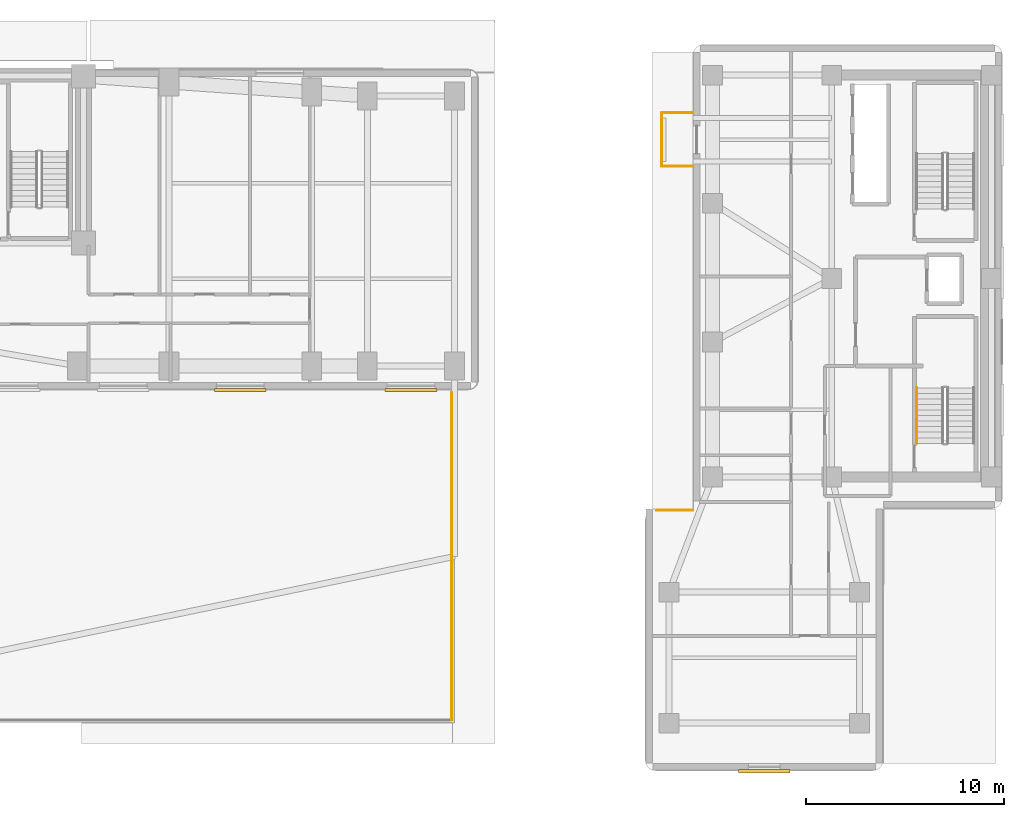
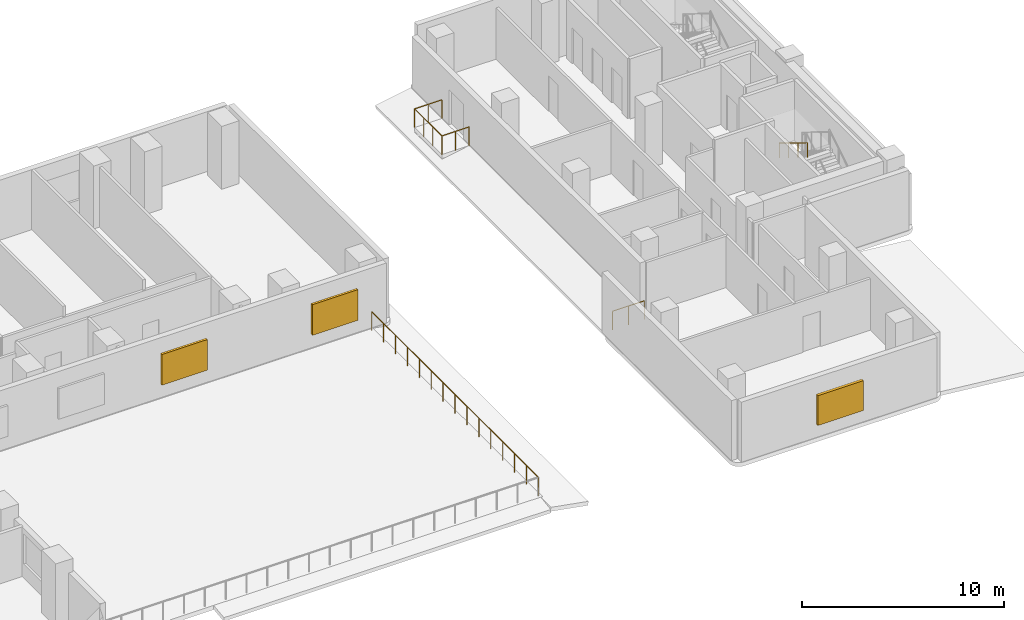
# One storey, part 9 of 10: 6 railings, 3 shading devices.
"""IFC4 building model written with IfcOpenShell, lengths in metres."""

import ifcopenshell
import ifcopenshell.guid

model = None  # the IFC model being written
_history = None  # IfcOwnerHistory: only IFC2X3 demands one
_inside = {}  # id of a spatial element -> (the spatial element, [elements in it])
_under = {}  # id of a project, library or spatial element -> (it, [spatial elements below it])
_declared = {}  # id of a project -> (the project, [libraries it declares])
_typed = {}  # id of a type object -> (the type object, [elements of that type])
_made_of = {}  # id of a material, layer set ... -> (it, [elements and type objects made of it])


def new_model(schema):
    """Start an empty IFC model of exactly this schema.

    Asked for "IFC4X3", IfcOpenShell would pick the latest addendum, in which some entities
    have other attributes; the version numbers below select the first issue.
    IFC2X3 requires an IfcOwnerHistory on every rooted entity: one is made here for all.
    """
    global model, _history
    if schema == "IFC4X3":
        model = ifcopenshell.file(schema_version=(4, 3, 0, 0))
    else:
        model = ifcopenshell.file(schema=schema)
    _inside.clear()
    _under.clear()
    _declared.clear()
    _typed.clear()
    _made_of.clear()
    _history = None
    if model.schema == "IFC2X3":
        org = make("IfcOrganization", Name="unknown")
        user = make(
            "IfcPersonAndOrganization",
            ThePerson=make("IfcPerson", FamilyName="unknown"),
            TheOrganization=org,
        )
        app = make(
            "IfcApplication",
            ApplicationDeveloper=org,
            Version="unknown",
            ApplicationFullName="unknown",
            ApplicationIdentifier="unknown",
        )
        _history = make(
            "IfcOwnerHistory",
            OwningUser=user,
            OwningApplication=app,
            ChangeAction="ADDED",
            CreationDate=0,
        )
    return model


def make(cls, **values):
    """One entity of the class cls with the attributes given. An attribute that is None is left unset."""
    return model.create_entity(
        cls, **{name: value for name, value in values.items() if value is not None}
    )


def rooted(cls, **values):
    """An entity with a GlobalId (a new one), such as an element, a storey or a relation."""
    return make(cls, GlobalId=ifcopenshell.guid.new(), OwnerHistory=_history, **values)


def si_unit(unit_type, name, prefix=None):
    """IfcSIUnit, for example si_unit("LENGTHUNIT", "METRE", prefix="MILLI")."""
    return make("IfcSIUnit", UnitType=unit_type, Prefix=prefix, Name=name)


def assignment(units):
    """IfcUnitAssignment: the units of a project."""
    return None if units is None else make("IfcUnitAssignment", Units=units)


def point(xyz):
    """IfcCartesianPoint."""
    return None if xyz is None else make("IfcCartesianPoint", Coordinates=xyz)


def direction(xyz):
    """IfcDirection."""
    return None if xyz is None else make("IfcDirection", DirectionRatios=xyz)


def frame(location, z_axis=None, x_axis=None):
    """IfcAxis2Placement3D, a coordinate frame: its origin and axes. An axis left out is left unset."""
    return make(
        "IfcAxis2Placement3D",
        Location=point(location),
        Axis=direction(z_axis),
        RefDirection=direction(x_axis),
    )


def frame_2d(location, x_axis=None):
    """IfcAxis2Placement2D, a coordinate frame in the plane: its origin and x axis."""
    return make(
        "IfcAxis2Placement2D", Location=point(location), RefDirection=direction(x_axis)
    )


def origin():
    """The frame at (0, 0, 0) with its axes left unset."""
    return frame((0.0, 0.0, 0.0))


def origin_2d():
    """The frame at (0, 0) in the plane with its x axis left unset."""
    return frame_2d((0.0, 0.0))


def place(relative_to, where):
    """IfcLocalPlacement: puts the frame where relative to a parent placement (None: the world)."""
    return make(
        "IfcLocalPlacement", PlacementRelTo=relative_to, RelativePlacement=where
    )


def context(
    kind, dimensions, precision=None, world=None, true_north=None, identifier=None
):
    """IfcGeometricRepresentationContext, for example the 3D "Model" context."""
    return make(
        "IfcGeometricRepresentationContext",
        ContextIdentifier=identifier,
        ContextType=kind,
        CoordinateSpaceDimension=dimensions,
        Precision=precision,
        WorldCoordinateSystem=world,
        TrueNorth=true_north,
    )


def subcontext(parent, identifier, kind, view, scale=None):
    """IfcGeometricRepresentationSubContext, for example "Body" below "Model"."""
    return make(
        "IfcGeometricRepresentationSubContext",
        ContextIdentifier=identifier,
        ContextType=kind,
        ParentContext=parent,
        TargetScale=scale,
        TargetView=view,
    )


def project(units=None, contexts=None):
    """IfcProject with its units and contexts."""
    return rooted(
        "IfcProject",
        Name="project",
        RepresentationContexts=contexts,
        UnitsInContext=assignment(units),
    )


def spatial(cls, under=None, at=None, **own):
    """A site, building, storey or space (cls), placed at a placement, below another one or the project."""
    s = rooted(cls, ObjectPlacement=at, **own)
    if under is not None:
        _under.setdefault(under.id(), (under, []))[1].append(s)
    return s


def profile(cls, at=None, kind="AREA", **sizes):
    """A parametric profile (cls). Its sizes go by their IFC names, for example OverallWidth=200.0."""
    return make(cls, ProfileType=kind, Position=at, **sizes)


def rectangle(**sizes):
    """IfcRectangleProfileDef."""
    return profile("IfcRectangleProfileDef", **sizes)


def circle(**sizes):
    """IfcCircleProfileDef."""
    return profile("IfcCircleProfileDef", **sizes)


def extrude(swept, where, along, depth):
    """IfcExtrudedAreaSolid: the profile swept, set in the frame where, extruded along a direction by depth."""
    return make(
        "IfcExtrudedAreaSolid",
        SweptArea=swept,
        Position=where,
        ExtrudedDirection=direction(along),
        Depth=depth,
    )


def shape(context_of_items, identifier, shape_type, items):
    """IfcShapeRepresentation: the items that make up one representation, for example the "Body"."""
    return make(
        "IfcShapeRepresentation",
        ContextOfItems=context_of_items,
        RepresentationIdentifier=identifier,
        RepresentationType=shape_type,
        Items=items,
    )


def material(Name=None, Category=None):
    """IfcMaterial."""
    return make("IfcMaterial", Name=Name, Category=Category)


def layer(
    of_material, thickness, ventilated=None, Name=None, Category=None, Priority=None
):
    """IfcMaterialLayer: one layer of a wall or slab, of a material (None: an air gap)."""
    return make(
        "IfcMaterialLayer",
        Material=of_material,
        LayerThickness=thickness,
        IsVentilated=ventilated,
        Name=Name,
        Category=Category,
        Priority=Priority,
    )


def layer_set(layers, Name=None):
    """IfcMaterialLayerSet."""
    return make("IfcMaterialLayerSet", MaterialLayers=layers, LayerSetName=Name)


def made_of(thing, what):
    """Note that an element or type object is made of a material, layer set ...; save() writes the relation."""
    if what is not None:
        _made_of.setdefault(what.id(), (what, []))[1].append(thing)
    return thing


def type_object(cls, material=None, **own):
    """A type object (cls), such as IfcWallType, which elements share."""
    return made_of(rooted(cls, **own), material)


def element(
    cls,
    number,
    at=None,
    inside=None,
    cuts=None,
    type_object=None,
    material=None,
    context=None,
    identifier="Body",
    shape_type=None,
    held_by="IfcProductDefinitionShape",
    body=None,
    shapes=None,
    **own,
):
    """One element of the class cls, such as IfcWall. Its Tag is "e" and its number.

    at: its placement. inside: the storey or other place that contains it. cuts: it is an
    opening in that element (IfcRelVoidsElement). A single representation is given by context,
    identifier, shape_type and body (its items); several are given by shapes. held_by: the class
    of the entity that holds the representations. save() writes the other relations.
    """
    e = rooted(cls, Tag="e%d" % number, ObjectPlacement=at, **own)
    if body is not None:
        shapes = [shape(context, identifier, shape_type, body)]
    if shapes is not None:
        e.Representation = make(held_by, Representations=shapes)
    if inside is not None:
        _inside.setdefault(inside.id(), (inside, []))[1].append(e)
    if cuts is not None:
        rooted(
            "IfcRelVoidsElement", RelatingBuildingElement=cuts, RelatedOpeningElement=e
        )
    if type_object is not None:
        _typed.setdefault(type_object.id(), (type_object, []))[1].append(e)
    return made_of(e, material)


def aggregate(whole, parts):
    """IfcRelAggregates: a whole, such as a stair, and the parts it consists of."""
    return rooted("IfcRelAggregates", RelatingObject=whole, RelatedObjects=parts)


def save(model, path):
    """Write the relations noted so far, then the file.

    IfcRelAggregates (storeys below a building ...), IfcRelContainedInSpatialStructure (elements
    in a storey), IfcRelDefinesByType, IfcRelAssociatesMaterial and IfcRelDeclares: one each for
    every whole, place, type object, material and project.
    """
    for whole, parts in _under.values():
        aggregate(whole, parts)
    for where, things in _inside.values():
        rooted(
            "IfcRelContainedInSpatialStructure",
            RelatedElements=things,
            RelatingStructure=where,
        )
    for kind, things in _typed.values():
        rooted("IfcRelDefinesByType", RelatedObjects=things, RelatingType=kind)
    for what, things in _made_of.values():
        rooted("IfcRelAssociatesMaterial", RelatedObjects=things, RelatingMaterial=what)
    for by, libraries in _declared.values():
        rooted("IfcRelDeclares", RelatingContext=by, RelatedDefinitions=libraries)
    model.write(path)


model = new_model("IFC4")

# Units and contexts
model_context = context("Model", 3, precision=1e-05, world=origin(), true_north=direction((0.0, 1.0)))
body_context = subcontext(model_context, "Body", "Model", "MODEL_VIEW")
ifc_project = project(units=[si_unit("LENGTHUNIT", "METRE"), si_unit("AREAUNIT", "SQUARE_METRE"), si_unit("VOLUMEUNIT", "CUBIC_METRE"), si_unit("PLANEANGLEUNIT", "RADIAN"), si_unit("MASSUNIT", "GRAM", prefix="KILO")], contexts=[model_context])

# Site, building, storey
site_placement = place(None, origin())
site = spatial("IfcSite", under=ifc_project, at=site_placement, CompositionType="ELEMENT")
building_placement = place(site_placement, origin())
building = spatial("IfcBuilding", under=site, at=building_placement, Name="Kuzgunbayir Cultural Tower", CompositionType="ELEMENT")
storey_placement = place(building_placement, frame((0.0, 0.0, 26.39990234375)))
storey = spatial("IfcBuildingStorey", under=building, at=storey_placement, Name="L06", CompositionType="ELEMENT", Elevation=26.39990234375)

# Railings
ifc_material_1 = material(Name="Laminated Glass and Stainless Steel", Category="steel")
ifc_layer_1 = layer(ifc_material_1, 0.080078125)
ifc_layer_set_1 = layer_set([ifc_layer_1], Name="Laminated Glass and Stainless Steel")
railing_type_1 = type_object("IfcRailingType", Name="RLG-BAL-115", PredefinedType="BALUSTRADE", material=ifc_layer_set_1)
railing_1_placement = place(storey_placement, frame((45.449951171875, 9.75, 0.0)))
element("IfcRailing", 1, at=railing_1_placement, inside=storey, type_object=railing_type_1, Name="L06 Stepped Roof Garden Guard Segment 2", PredefinedType="BALUSTRADE", context=body_context, shape_type="SweptSolid", body=[
    extrude(circle(Radius=0.02392578125, at=origin_2d()), frame((0.0, 0.0, 1.1259765625), z_axis=(0.0, 1.0, 0.0), x_axis=(-1.0, 0.0, 0.0)), (0.0, 0.0, 1.0), 16.5),
    extrude(circle(Radius=0.02099609375, at=origin_2d()), origin(), (0.0, 0.0, 1.0), 1.101806640625),
    extrude(circle(Radius=0.02099609375, at=origin_2d()), frame((0.0, 1.178466796875, 0.0)), (0.0, 0.0, 1.0), 1.101806640625),
    extrude(circle(Radius=0.02099609375, at=origin_2d()), frame((0.0, 2.357177734375, 0.0)), (0.0, 0.0, 1.0), 1.101806640625),
    extrude(circle(Radius=0.02099609375, at=origin_2d()), frame((0.0, 3.53564453125, 0.0)), (0.0, 0.0, 1.0), 1.101806640625),
    extrude(circle(Radius=0.02099609375, at=origin_2d()), frame((0.0, 4.71435546875, 0.0)), (0.0, 0.0, 1.0), 1.101806640625),
    extrude(circle(Radius=0.02099609375, at=origin_2d()), frame((0.0, 5.892822265625, 0.0)), (0.0, 0.0, 1.0), 1.101806640625),
    extrude(circle(Radius=0.02099609375, at=origin_2d()), frame((0.0, 7.071533203125, 0.0)), (0.0, 0.0, 1.0), 1.101806640625),
    extrude(circle(Radius=0.02099609375, at=origin_2d()), frame((0.0, 8.25, 0.0)), (0.0, 0.0, 1.0), 1.101806640625),
    extrude(circle(Radius=0.02099609375, at=origin_2d()), frame((0.0, 9.428466796875, 0.0)), (0.0, 0.0, 1.0), 1.101806640625),
    extrude(circle(Radius=0.02099609375, at=origin_2d()), frame((0.0, 10.607177734375, 0.0)), (0.0, 0.0, 1.0), 1.101806640625),
    extrude(circle(Radius=0.02099609375, at=origin_2d()), frame((0.0, 11.78564453125, 0.0)), (0.0, 0.0, 1.0), 1.101806640625),
    extrude(circle(Radius=0.02099609375, at=origin_2d()), frame((0.0, 12.96435546875, 0.0)), (0.0, 0.0, 1.0), 1.101806640625),
    extrude(circle(Radius=0.02099609375, at=origin_2d()), frame((0.0, 14.142822265625, 0.0)), (0.0, 0.0, 1.0), 1.101806640625),
    extrude(circle(Radius=0.02099609375, at=origin_2d()), frame((0.0, 15.321533203125, 0.0)), (0.0, 0.0, 1.0), 1.101806640625),
    extrude(circle(Radius=0.02099609375, at=origin_2d()), frame((0.0, 16.5, 0.0)), (0.0, 0.0, 1.0), 1.101806640625),
])
railing_2_placement = place(storey_placement, frame((57.60009765625, 37.64990234375, 0.0)))
element("IfcRailing", 2, at=railing_2_placement, inside=storey, type_object=railing_type_1, Name="L06 Companion Balcony Guard BAL-L06-T2W3 Segment 1", PredefinedType="BALUSTRADE", context=body_context, shape_type="SweptSolid", body=[
    extrude(circle(Radius=0.02392578125, at=origin_2d()), frame((0.0, 0.0, 1.1259765625), z_axis=(-1.0, 0.0, 0.0), x_axis=(0.0, -1.0, 0.0)), (0.0, 0.0, 1.0), 1.56005859375),
    extrude(circle(Radius=0.02099609375, at=origin_2d()), origin(), (0.0, 0.0, 1.0), 1.101806640625),
    extrude(circle(Radius=0.02099609375, at=origin_2d()), frame((-0.780029296875, 0.0, 0.0)), (0.0, 0.0, 1.0), 1.101806640625),
    extrude(circle(Radius=0.02099609375, at=origin_2d()), frame((-1.56005859375, 0.0, 0.0)), (0.0, 0.0, 1.0), 1.101806640625),
])
railing_3_placement = place(storey_placement, frame((56.0400390625, 37.64990234375, 0.0)))
element("IfcRailing", 3, at=railing_3_placement, inside=storey, type_object=railing_type_1, Name="L06 Companion Balcony Guard BAL-L06-T2W3 Segment 2", PredefinedType="BALUSTRADE", context=body_context, shape_type="SweptSolid", body=[
    extrude(circle(Radius=0.02392578125, at=origin_2d()), frame((0.0, 0.0, 1.1259765625), z_axis=(0.0, 1.0, 0.0), x_axis=(-1.0, 0.0, 0.0)), (0.0, 0.0, 1.0), 2.7001953125),
    extrude(circle(Radius=0.02099609375, at=origin_2d()), origin(), (0.0, 0.0, 1.0), 1.101806640625),
    extrude(circle(Radius=0.02099609375, at=origin_2d()), frame((0.0, 0.900146484375, 0.0)), (0.0, 0.0, 1.0), 1.101806640625),
    extrude(circle(Radius=0.02099609375, at=origin_2d()), frame((0.0, 1.800048828125, 0.0)), (0.0, 0.0, 1.0), 1.101806640625),
    extrude(circle(Radius=0.02099609375, at=origin_2d()), frame((0.0, 2.7001953125, 0.0)), (0.0, 0.0, 1.0), 1.101806640625),
])
railing_4_placement = place(storey_placement, frame((56.0400390625, 40.35009765625, 0.0)))
element("IfcRailing", 4, at=railing_4_placement, inside=storey, type_object=railing_type_1, Name="L06 Companion Balcony Guard BAL-L06-T2W3 Segment 3", PredefinedType="BALUSTRADE", context=body_context, shape_type="SweptSolid", body=[
    extrude(circle(Radius=0.02392578125, at=origin_2d()), frame((0.0, 0.0, 1.1259765625), z_axis=(1.0, 0.0, 0.0), x_axis=(0.0, 1.0, 0.0)), (0.0, 0.0, 1.0), 1.56005859375),
    extrude(circle(Radius=0.02099609375, at=origin_2d()), origin(), (0.0, 0.0, 1.0), 1.101806640625),
    extrude(circle(Radius=0.02099609375, at=origin_2d()), frame((0.780029296875, 0.0, 0.0)), (0.0, 0.0, 1.0), 1.101806640625),
    extrude(circle(Radius=0.02099609375, at=origin_2d()), frame((1.56005859375, 0.0, 0.0)), (0.0, 0.0, 1.0), 1.101806640625),
])
railing_5_placement = place(storey_placement, frame((55.7900390625, 20.320068359375, 0.0)))
element("IfcRailing", 5, at=railing_5_placement, inside=storey, type_object=railing_type_1, Name="L06 Perimeter Edge Guard 1", PredefinedType="BALUSTRADE", context=body_context, shape_type="SweptSolid", body=[
    extrude(circle(Radius=0.02392578125, at=origin_2d()), frame((0.0, 0.0, 1.1259765625), z_axis=(1.0, 0.0, 0.0), x_axis=(0.0, 1.0, 0.0)), (0.0, 0.0, 1.0), 1.81005859375),
    extrude(circle(Radius=0.02099609375, at=origin_2d()), origin(), (0.0, 0.0, 1.0), 1.101806640625),
    extrude(circle(Radius=0.02099609375, at=origin_2d()), frame((0.905029296875, 0.0, 0.0)), (0.0, 0.0, 1.0), 1.101806640625),
    extrude(circle(Radius=0.02099609375, at=origin_2d()), frame((1.81005859375, 0.0, 0.0)), (0.0, 0.0, 1.0), 1.101806640625),
])
ifc_material_2 = material(Name="Brushed Stainless Steel", Category="steel")
ifc_layer_2 = layer(ifc_material_2, 0.050048828125)
ifc_layer_set_2 = layer_set([ifc_layer_2], Name="Brushed Stainless Steel")
railing_type_2 = type_object("IfcRailingType", Name="RLG-STAIR-HANDRAIL", PredefinedType="HANDRAIL", material=ifc_layer_set_2)
railing_6_placement = place(storey_placement, frame((68.889892578125, 26.5, 2.07275390625)))
element("IfcRailing", 6, at=railing_6_placement, inside=storey, type_object=railing_type_2, Name="L06 ST-3 stair handrail 2", PredefinedType="HANDRAIL", context=body_context, shape_type="SweptSolid", body=[
    extrude(circle(Radius=0.02392578125, at=origin_2d()), frame((0.0, 0.0, 0.8759765625), z_axis=(0.0, -0.851089632645, 0.525020415988), x_axis=(1.0, 0.0, 0.0)), (0.0, 0.0, 1.0), 3.2900390625),
    extrude(circle(Radius=0.02099609375, at=origin_2d()), origin(), (0.0, 0.0, 1.0), 0.851806640625),
    extrude(circle(Radius=0.02099609375, at=origin_2d()), frame((0.0, -0.933349609375, 0.57568359375)), (0.0, 0.0, 1.0), 0.851806640625),
    extrude(circle(Radius=0.02099609375, at=origin_2d()), frame((0.0, -1.86669921875, 1.151611328125)), (0.0, 0.0, 1.0), 0.851806640625),
    extrude(circle(Radius=0.02099609375, at=origin_2d()), frame((0.0, -2.800048828125, 1.727294921875)), (0.0, 0.0, 1.0), 0.851806640625),
])

# Shading devices
ifc_material_3 = material(Name="Perforated Bronze-Anodised Aluminium", Category="aluminium")
shading_device_type_1 = type_object("IfcShadingDeviceType", Name="SHD-SOLAR-BRONZE", PredefinedType="JALOUSIE", material=ifc_material_3)
for number, where, z_axis, x_axis, name in (
    (7, (34.800048828125, 26.389892578125, 0.824951171875), (0.0, 0.0, 1.0), (1.0, 0.0, 0.0), "L06 Solar Screen WBS10"),
    (8, (43.39990234375, 26.389892578125, 0.824951171875), (0.0, 0.0, 1.0), (1.0, 0.0, 0.0), "L06 Solar Screen WBS11"),
):
    element("IfcShadingDevice", number, at=place(storey_placement, frame(where, z_axis=z_axis, x_axis=x_axis)), inside=storey, type_object=shading_device_type_1, Name=name, PredefinedType="JALOUSIE", context=body_context, shape_type="SweptSolid", body=[
        extrude(rectangle(XDim=2.60009765625, YDim=0.139892578125, at=origin_2d()), origin(), (0.0, 0.0, 1.0), 1.85009765625),
    ])
ifc_material_4 = material(Name="Warm Terracotta Ceramic Baguette", Category="masonry")
shading_device_type_2 = type_object("IfcShadingDeviceType", Name="SHD-SOLAR-CERAMIC", PredefinedType="SHUTTER", material=ifc_material_4)
shading_device_placement = place(storey_placement, frame((61.199951171875, 7.179931640625, 0.80029296875), z_axis=(0.0, 0.0, 1.0), x_axis=(1.0, 0.0, 0.0)))
element("IfcShadingDevice", 9, at=shading_device_placement, inside=storey, type_object=shading_device_type_2, Name="L06 Companion Ceramic Solar Screen S1", PredefinedType="SHUTTER", context=body_context, shape_type="SweptSolid", body=[
    extrude(rectangle(XDim=2.60009765625, YDim=0.159912109375, at=origin_2d()), origin(), (0.0, 0.0, 1.0), 1.800048828125),
])

save(model, "model.ifc")
